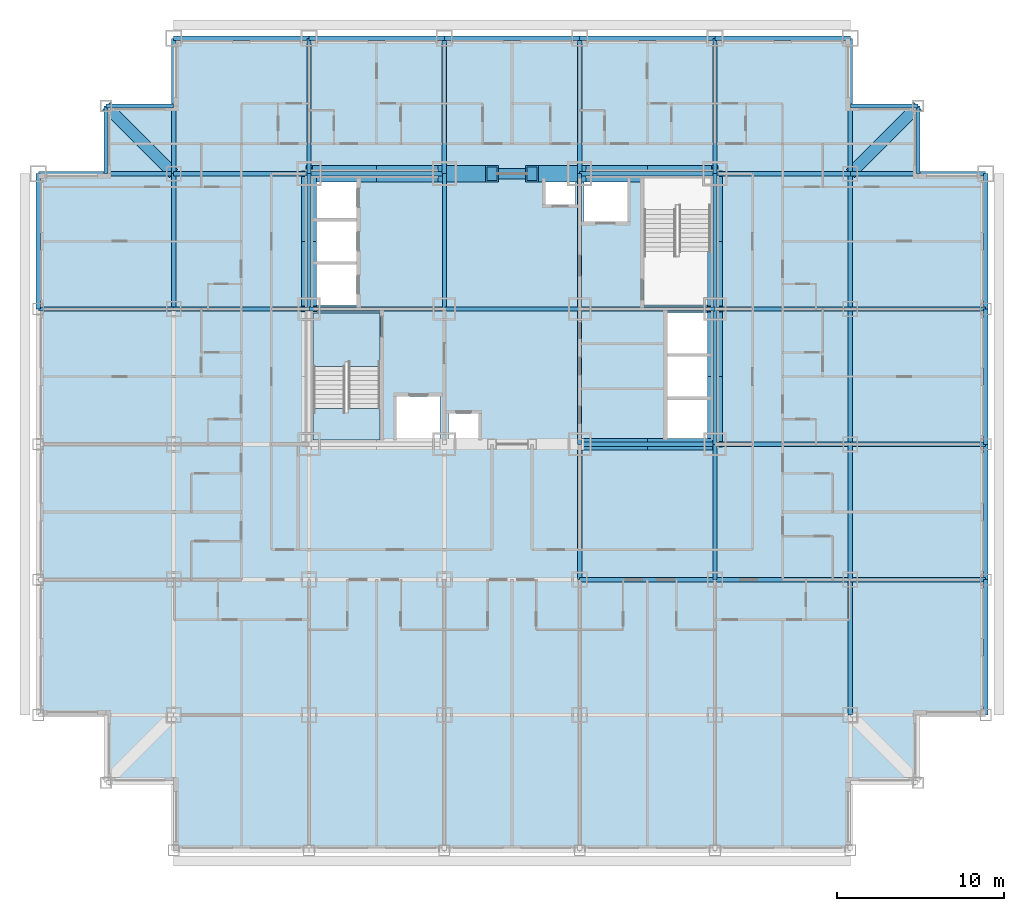
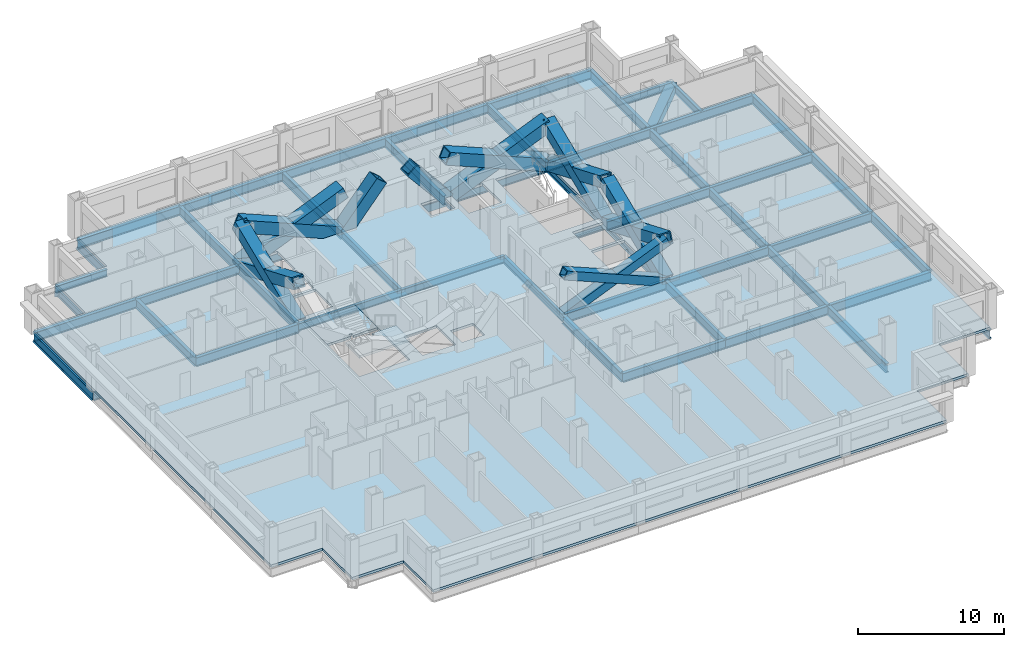
# One storey, part 2 of 11: 55 beams, 14 members, 3 slabs, 1 element without a shape of its own.
"""IFC4 building model written with IfcOpenShell, lengths in metres."""

from ifc_helpers import new_model, si_unit, direction, frame, origin, origin_2d, place, context, subcontext, project, spatial, polyline, hollow_rectangle, i_section, outline, extrude, material, layer, layer_set, material_profile, profile_set, type_object, element, aggregate, save


model = new_model("IFC4")

# Units and contexts
model_context = context("Model", 3, precision=1e-05, world=origin(), true_north=direction((0.0, 1.0)))
body_context = subcontext(model_context, "Body", "Model", "MODEL_VIEW")
ifc_project = project(units=[si_unit("LENGTHUNIT", "METRE"), si_unit("AREAUNIT", "SQUARE_METRE"), si_unit("VOLUMEUNIT", "CUBIC_METRE"), si_unit("PLANEANGLEUNIT", "RADIAN"), si_unit("MASSUNIT", "GRAM", prefix="KILO")], contexts=[model_context])

# Site, building, storey
site_placement = place(None, origin())
site = spatial("IfcSite", under=ifc_project, at=site_placement, CompositionType="ELEMENT")
building_placement = place(site_placement, origin())
building = spatial("IfcBuilding", under=site, at=building_placement, Name="Kopane Lantern Tower", CompositionType="ELEMENT")
storey_placement = place(building_placement, frame((0.0, 0.0, 84.0)))
storey = spatial("IfcBuildingStorey", under=building, at=storey_placement, Name="L21", CompositionType="ELEMENT", Elevation=84.0)

# Members
ifc_material_1 = material(Name="Steel S355JR", Category="steel")
ifc_material_profile_1 = material_profile(ifc_material_1, hollow_rectangle(XDim=1.0, YDim=1.0, WallThickness=0.10009765625, at=origin_2d()), Name="BOX 1000x1000x100")
ifc_profile_set_1 = profile_set([ifc_material_profile_1], Name="Steel S355JR")
member_type_1 = type_object("IfcMemberType", Name="BRACE BOX 1000x1000x100", PredefinedType="BRACE", material=ifc_profile_set_1)
for number, where, z_axis, x_axis, name in (
    (1, (16.199951171875, 40.5, -0.2099609375), (0.922069000757, 0.0, 0.387025526088), (0.0, 1.0, 0.0), "Core brace L21"),
    (2, (24.300048828125, 40.5, -0.2099609375), (-0.922069000757, 0.0, 0.387025526088), (0.0, -1.0, 0.0), "Core brace L21"),
):
    element("IfcMember", number, at=place(storey_placement, frame(where, z_axis=z_axis, x_axis=x_axis)), inside=storey, type_object=member_type_1, Name=name, PredefinedType="BRACE", context=body_context, shape_type="SweptSolid", body=[
        extrude(hollow_rectangle(XDim=1.0, YDim=1.0, WallThickness=0.10009765625, at=origin_2d()), origin(), (0.0, 0.0, 1.0), 8.78466796875),
    ])
for number, where, z_axis, x_axis, name in (
    (3, (24.300048828125, 40.5, -0.2099609375), (0.642390257445, 0.0, 0.7663776857), (0.0, 1.0, 0.0), "Core brace L21"),
    (4, (32.39990234375, 40.5, -0.2099609375), (-0.642390257445, 0.0, 0.7663776857), (0.0, -1.0, 0.0), "Core brace L21"),
):
    element("IfcMember", number, at=place(storey_placement, frame(where, z_axis=z_axis, x_axis=x_axis)), inside=storey, type_object=member_type_1, Name=name, PredefinedType="BRACE", context=body_context, shape_type="SweptSolid", body=[
        extrude(hollow_rectangle(XDim=1.0, YDim=1.0, WallThickness=0.10009765625, at=origin_2d()), origin(), (0.0, 0.0, 1.0), 4.436279296875),
    ])
for number, where, z_axis, x_axis, name in (
    (5, (32.39990234375, 40.5, -0.2099609375), (0.922069000757, 0.0, 0.387025526088), (0.0, 1.0, 0.0), "Core brace L21"),
    (6, (40.5, 40.5, -0.2099609375), (-0.922069000757, 0.0, 0.387025526088), (0.0, -1.0, 0.0), "Core brace L21"),
):
    element("IfcMember", number, at=place(storey_placement, frame(where, z_axis=z_axis, x_axis=x_axis)), inside=storey, type_object=member_type_1, Name=name, PredefinedType="BRACE", context=body_context, shape_type="SweptSolid", body=[
        extrude(hollow_rectangle(XDim=1.0, YDim=1.0, WallThickness=0.10009765625, at=origin_2d()), origin(), (0.0, 0.0, 1.0), 8.78466796875),
    ])
ifc_material_2 = material(Name="Steel S355JR", Category="steel")
ifc_material_profile_2 = material_profile(ifc_material_2, hollow_rectangle(XDim=0.699951171875, YDim=0.699951171875, WallThickness=0.06005859375, at=origin_2d()), Name="BOX 700x700x60")
ifc_profile_set_2 = profile_set([ifc_material_profile_2], Name="Steel S355JR")
member_type_2 = type_object("IfcMemberType", Name="BRACE BOX 700x700x60", PredefinedType="BRACE", material=ifc_profile_set_2)
for number, where, z_axis, x_axis, name in (
    (7, (32.39990234375, 24.300048828125, -0.2099609375), (0.922069000757, 0.0, 0.387025526088), (0.0, 1.0, 0.0), "Core brace L21"),
    (8, (40.5, 24.300048828125, -0.2099609375), (-0.922069000757, 0.0, 0.387025526088), (0.0, -1.0, 0.0), "Core brace L21"),
):
    element("IfcMember", number, at=place(storey_placement, frame(where, z_axis=z_axis, x_axis=x_axis)), inside=storey, type_object=member_type_2, Name=name, PredefinedType="BRACE", context=body_context, shape_type="SweptSolid", body=[
        extrude(hollow_rectangle(XDim=0.699951171875, YDim=0.699951171875, WallThickness=0.06005859375, at=origin_2d()), origin(), (0.0, 0.0, 1.0), 8.78466796875),
    ])
ifc_material_3 = material(Name="Steel S355JR", Category="steel")
ifc_material_profile_3 = material_profile(ifc_material_3, hollow_rectangle(XDim=0.89990234375, YDim=0.89990234375, WallThickness=0.090087890625, at=origin_2d()), Name="BOX 900x900x90")
ifc_profile_set_3 = profile_set([ifc_material_profile_3], Name="Steel S355JR")
member_type_3 = type_object("IfcMemberType", Name="BRACE BOX 900x900x90", PredefinedType="BRACE", material=ifc_profile_set_3)
for number, where, z_axis, x_axis, name in (
    (9, (16.199951171875, 32.39990234375, -0.2099609375), (0.0, 0.922069000757, 0.387025526088), (-1.0, 0.0, 0.0), "Core brace L21"),
    (10, (16.199951171875, 40.5, -0.2099609375), (0.0, -0.922069000757, 0.387025526088), (1.0, 0.0, 0.0), "Core brace L21"),
):
    element("IfcMember", number, at=place(storey_placement, frame(where, z_axis=z_axis, x_axis=x_axis)), inside=storey, type_object=member_type_3, Name=name, PredefinedType="BRACE", context=body_context, shape_type="SweptSolid", body=[
        extrude(hollow_rectangle(XDim=0.89990234375, YDim=0.89990234375, WallThickness=0.090087890625, at=origin_2d()), origin(), (0.0, 0.0, 1.0), 8.78466796875),
    ])
for number, where, z_axis, x_axis, name in (
    (11, (40.5, 24.300048828125, -0.2099609375), (0.0, 0.922064837731, 0.38703544414), (-1.0, 0.0, 0.0), "Core brace L21"),
    (12, (40.5, 32.39990234375, -0.2099609375), (0.0, -0.922064837731, 0.38703544414), (1.0, 0.0, 0.0), "Core brace L21"),
):
    element("IfcMember", number, at=place(storey_placement, frame(where, z_axis=z_axis, x_axis=x_axis)), inside=storey, type_object=member_type_3, Name=name, PredefinedType="BRACE", context=body_context, shape_type="SweptSolid", body=[
        extrude(hollow_rectangle(XDim=0.89990234375, YDim=0.89990234375, WallThickness=0.090087890625, at=origin_2d()), origin(), (0.0, 0.0, 1.0), 8.784423828125),
    ])
for number, where, z_axis, x_axis, name in (
    (13, (40.5, 32.39990234375, -0.2099609375), (0.0, 0.922069000757, 0.387025526088), (-1.0, 0.0, 0.0), "Core brace L21"),
    (14, (40.5, 40.5, -0.2099609375), (0.0, -0.922069000757, 0.387025526088), (1.0, 0.0, 0.0), "Core brace L21"),
):
    element("IfcMember", number, at=place(storey_placement, frame(where, z_axis=z_axis, x_axis=x_axis)), inside=storey, type_object=member_type_3, Name=name, PredefinedType="BRACE", context=body_context, shape_type="SweptSolid", body=[
        extrude(hollow_rectangle(XDim=0.89990234375, YDim=0.89990234375, WallThickness=0.090087890625, at=origin_2d()), origin(), (0.0, 0.0, 1.0), 8.78466796875),
    ])

# Beams
ifc_material_4 = material(Name="Steel S355JR", Category="steel")
ifc_material_profile_4 = material_profile(ifc_material_4, i_section(OverallWidth=0.22900390625, OverallDepth=0.6123046875, WebThickness=0.011962890625, FlangeThickness=0.01953125, FilletRadius=0.0126953125, at=origin_2d()), Name="UB 610x229x125")
ifc_profile_set_4 = profile_set([ifc_material_profile_4], Name="Steel S355JR")
beam_type_1 = type_object("IfcBeamType", Name="CORE BEAM UB 610x229x125", PredefinedType="BEAM", material=ifc_profile_set_4)
for number, where, z_axis, x_axis, name in (
    (15, (16.199951171875, 32.39990234375, -0.51611328125), (1.0, 0.0, 0.0), (0.0, 1.0, 0.0), "Core Beam L21"),
    (16, (24.300048828125, 32.39990234375, -0.51611328125), (0.0, 1.0, 0.0), (-1.0, 0.0, 0.0), "Core Beam L21"),
):
    element("IfcBeam", number, at=place(storey_placement, frame(where, z_axis=z_axis, x_axis=x_axis)), inside=storey, type_object=beam_type_1, Name=name, PredefinedType="BEAM", context=body_context, shape_type="SweptSolid", body=[
        extrude(i_section(OverallWidth=0.22900390625, OverallDepth=0.6123046875, WebThickness=0.011962890625, FlangeThickness=0.01953125, FilletRadius=0.0126953125, at=origin_2d()), origin(), (0.0, 0.0, 1.0), 8.10009765625),
    ])
for number, where, z_axis, x_axis, name in (
    (17, (24.300048828125, 32.39990234375, -0.51611328125), (1.0, 0.0, 0.0), (0.0, 1.0, 0.0), "Core Beam L21"),
    (18, (32.39990234375, 24.300048828125, -0.51611328125), (0.0, 1.0, 0.0), (-1.0, 0.0, 0.0), "Core Beam L21"),
):
    element("IfcBeam", number, at=place(storey_placement, frame(where, z_axis=z_axis, x_axis=x_axis)), inside=storey, type_object=beam_type_1, Name=name, PredefinedType="BEAM", context=body_context, shape_type="SweptSolid", body=[
        extrude(i_section(OverallWidth=0.22900390625, OverallDepth=0.6123046875, WebThickness=0.011962890625, FlangeThickness=0.01953125, FilletRadius=0.0126953125, at=origin_2d()), origin(), (0.0, 0.0, 1.0), 8.099853515625),
    ])
for number, where, z_axis, x_axis, name in (
    (19, (32.39990234375, 32.39990234375, -0.51611328125), (0.0, 1.0, 0.0), (-1.0, 0.0, 0.0), "Core Beam L21"),
    (20, (32.39990234375, 32.39990234375, -0.51611328125), (1.0, 0.0, 0.0), (0.0, 1.0, 0.0), "Core Beam L21"),
):
    element("IfcBeam", number, at=place(storey_placement, frame(where, z_axis=z_axis, x_axis=x_axis)), inside=storey, type_object=beam_type_1, Name=name, PredefinedType="BEAM", context=body_context, shape_type="SweptSolid", body=[
        extrude(i_section(OverallWidth=0.22900390625, OverallDepth=0.6123046875, WebThickness=0.011962890625, FlangeThickness=0.01953125, FilletRadius=0.0126953125, at=origin_2d()), origin(), (0.0, 0.0, 1.0), 8.10009765625),
    ])
ifc_material_5 = material(Name="Steel S355JR", Category="steel")
ifc_material_profile_5 = material_profile(ifc_material_5, hollow_rectangle(XDim=0.699951171875, YDim=0.699951171875, WallThickness=0.06005859375, at=origin_2d()), Name="BOX 700x700x60")
ifc_profile_set_5 = profile_set([ifc_material_profile_5], Name="Steel S355JR")
beam_type_2 = type_object("IfcBeamType", Name="CORNER TIE BEAM BOX 700x700x60", PredefinedType="BEAM", material=ifc_profile_set_5)
for number, where, z_axis, x_axis, name in (
    (21, (4.050048828125, 44.550048828125, -0.56005859375), (0.707106781187, -0.707106781187, 0.0), (0.707106781187, 0.707106781187, 0.0), "Corner Tie Beam L21"),
    (22, (52.64990234375, 44.550048828125, -0.56005859375), (-0.707085467703, -0.707128094028, 0.0), (0.707128094028, -0.707085467703, 0.0), "Corner Tie Beam L21"),
):
    element("IfcBeam", number, at=place(storey_placement, frame(where, z_axis=z_axis, x_axis=x_axis)), inside=storey, type_object=beam_type_2, Name=name, PredefinedType="BEAM", context=body_context, shape_type="SweptSolid", body=[
        extrude(hollow_rectangle(XDim=0.699951171875, YDim=0.699951171875, WallThickness=0.06005859375, at=origin_2d()), origin(), (0.0, 0.0, 1.0), 5.7275390625),
    ])
ifc_material_6 = material(Name="Steel S355JR", Category="steel")
ifc_material_profile_6 = material_profile(ifc_material_6, i_section(OverallWidth=0.22900390625, OverallDepth=0.6123046875, WebThickness=0.011962890625, FlangeThickness=0.01953125, FilletRadius=0.0126953125, at=origin_2d()), Name="UB 610x229x125")
ifc_profile_set_6 = profile_set([ifc_material_profile_6], Name="Steel S355JR")
beam_type_3 = type_object("IfcBeamType", Name="EDGE BEAM UB 610x229x125", PredefinedType="BEAM", material=ifc_profile_set_6)
for number, where, z_axis, x_axis, name in (
    (23, (4.050048828125, 44.550048828125, -0.51611328125), (0.0, -1.0, 0.0), (1.0, 0.0, 0.0), "Edge Beam L21"),
    (24, (4.050048828125, 44.550048828125, -0.51611328125), (1.0, 0.0, 0.0), (0.0, 1.0, 0.0), "Edge Beam L21"),
):
    element("IfcBeam", number, at=place(storey_placement, frame(where, z_axis=z_axis, x_axis=x_axis)), inside=storey, type_object=beam_type_3, Name=name, PredefinedType="BEAM", context=body_context, shape_type="SweptSolid", body=[
        extrude(i_section(OverallWidth=0.22900390625, OverallDepth=0.6123046875, WebThickness=0.011962890625, FlangeThickness=0.01953125, FilletRadius=0.0126953125, at=origin_2d()), origin(), (0.0, 0.0, 1.0), 4.050048828125),
    ])
beam_1_placement = place(storey_placement, frame((52.64990234375, 44.550048828125, -0.51611328125), z_axis=(-1.0, 0.0, 0.0), x_axis=(0.0, -1.0, 0.0)))
element("IfcBeam", 25, at=beam_1_placement, inside=storey, type_object=beam_type_3, Name="Edge Beam L21", PredefinedType="BEAM", context=body_context, shape_type="SweptSolid", body=[
    extrude(i_section(OverallWidth=0.22900390625, OverallDepth=0.6123046875, WebThickness=0.011962890625, FlangeThickness=0.01953125, FilletRadius=0.0126953125, at=origin_2d()), origin(), (0.0, 0.0, 1.0), 4.0498046875),
])
beam_2_placement = place(storey_placement, frame((52.64990234375, 44.550048828125, -0.51611328125), z_axis=(0.0, -1.0, 0.0), x_axis=(1.0, 0.0, 0.0)))
element("IfcBeam", 26, at=beam_2_placement, inside=storey, type_object=beam_type_3, Name="Edge Beam L21", PredefinedType="BEAM", context=body_context, shape_type="SweptSolid", body=[
    extrude(i_section(OverallWidth=0.22900390625, OverallDepth=0.6123046875, WebThickness=0.011962890625, FlangeThickness=0.01953125, FilletRadius=0.0126953125, at=origin_2d()), origin(), (0.0, 0.0, 1.0), 4.050048828125),
])
ifc_material_7 = material(Name="Steel S355JR", Category="steel")
ifc_material_profile_7 = material_profile(ifc_material_7, i_section(OverallWidth=0.2666015625, OverallDepth=0.76220703125, WebThickness=0.014404296875, FlangeThickness=0.021484375, FilletRadius=0.0166015625, at=origin_2d()), Name="UB 762x267x173")
ifc_profile_set_7 = profile_set([ifc_material_profile_7], Name="Steel S355JR")
beam_type_4 = type_object("IfcBeamType", Name="GIRDER UB 762x267x173", PredefinedType="BEAM", material=ifc_profile_set_7)
for number, where, z_axis, x_axis, name in (
    (27, (0.0, 32.39990234375, -0.591064453125), (0.0, 1.0, 0.0), (-1.0, 0.0, 0.0), "Girder L21"),
    (28, (0.0, 32.39990234375, -0.591064453125), (1.0, 0.0, 0.0), (0.0, 1.0, 0.0), "Girder L21"),
    (29, (0.0, 40.5, -0.591064453125), (1.0, 0.0, 0.0), (0.0, 1.0, 0.0), "Girder L21"),
    (30, (8.10009765625, 32.39990234375, -0.591064453125), (0.0, 1.0, 0.0), (-1.0, 0.0, 0.0), "Girder L21"),
):
    element("IfcBeam", number, at=place(storey_placement, frame(where, z_axis=z_axis, x_axis=x_axis)), inside=storey, type_object=beam_type_4, Name=name, PredefinedType="BEAM", context=body_context, shape_type="SweptSolid", body=[
        extrude(i_section(OverallWidth=0.2666015625, OverallDepth=0.76220703125, WebThickness=0.014404296875, FlangeThickness=0.021484375, FilletRadius=0.0166015625, at=origin_2d()), origin(), (0.0, 0.0, 1.0), 8.10009765625),
    ])
beam_3_placement = place(storey_placement, frame((8.10009765625, 32.39990234375, -0.591064453125), z_axis=(1.0, 0.0, 0.0), x_axis=(0.0, 1.0, 0.0)))
element("IfcBeam", 31, at=beam_3_placement, inside=storey, type_object=beam_type_4, Name="Girder L21", PredefinedType="BEAM", context=body_context, shape_type="SweptSolid", body=[
    extrude(i_section(OverallWidth=0.2666015625, OverallDepth=0.76220703125, WebThickness=0.014404296875, FlangeThickness=0.021484375, FilletRadius=0.0166015625, at=origin_2d()), origin(), (0.0, 0.0, 1.0), 8.099853515625),
])
beam_4_placement = place(storey_placement, frame((8.10009765625, 40.5, -0.591064453125), z_axis=(0.0, 1.0, 0.0), x_axis=(-1.0, 0.0, 0.0)))
element("IfcBeam", 32, at=beam_4_placement, inside=storey, type_object=beam_type_4, Name="Girder L21", PredefinedType="BEAM", context=body_context, shape_type="SweptSolid", body=[
    extrude(i_section(OverallWidth=0.2666015625, OverallDepth=0.76220703125, WebThickness=0.014404296875, FlangeThickness=0.021484375, FilletRadius=0.0166015625, at=origin_2d()), origin(), (0.0, 0.0, 1.0), 8.10009765625),
])
for number, where, z_axis, x_axis, name in (
    (33, (8.10009765625, 40.5, -0.591064453125), (1.0, 0.0, 0.0), (0.0, 1.0, 0.0), "Girder L21"),
    (34, (8.10009765625, 48.60009765625, -0.591064453125), (1.0, 0.0, 0.0), (0.0, 1.0, 0.0), "Girder L21"),
):
    element("IfcBeam", number, at=place(storey_placement, frame(where, z_axis=z_axis, x_axis=x_axis)), inside=storey, type_object=beam_type_4, Name=name, PredefinedType="BEAM", context=body_context, shape_type="SweptSolid", body=[
        extrude(i_section(OverallWidth=0.2666015625, OverallDepth=0.76220703125, WebThickness=0.014404296875, FlangeThickness=0.021484375, FilletRadius=0.0166015625, at=origin_2d()), origin(), (0.0, 0.0, 1.0), 8.099853515625),
    ])
for number, where, z_axis, x_axis, name in (
    (35, (16.199951171875, 32.39990234375, -0.591064453125), (0.0, 1.0, 0.0), (-1.0, 0.0, 0.0), "Girder L21"),
    (36, (16.199951171875, 40.5, -0.591064453125), (0.0, 1.0, 0.0), (-1.0, 0.0, 0.0), "Girder L21"),
    (37, (16.199951171875, 40.5, -0.591064453125), (1.0, 0.0, 0.0), (0.0, 1.0, 0.0), "Girder L21"),
    (38, (16.199951171875, 48.60009765625, -0.591064453125), (1.0, 0.0, 0.0), (0.0, 1.0, 0.0), "Girder L21"),
    (39, (24.300048828125, 40.5, -0.591064453125), (0.0, 1.0, 0.0), (-1.0, 0.0, 0.0), "Girder L21"),
):
    element("IfcBeam", number, at=place(storey_placement, frame(where, z_axis=z_axis, x_axis=x_axis)), inside=storey, type_object=beam_type_4, Name=name, PredefinedType="BEAM", context=body_context, shape_type="SweptSolid", body=[
        extrude(i_section(OverallWidth=0.2666015625, OverallDepth=0.76220703125, WebThickness=0.014404296875, FlangeThickness=0.021484375, FilletRadius=0.0166015625, at=origin_2d()), origin(), (0.0, 0.0, 1.0), 8.10009765625),
    ])
beam_5_placement = place(storey_placement, frame((24.300048828125, 48.60009765625, -0.591064453125), z_axis=(1.0, 0.0, 0.0), x_axis=(0.0, 1.0, 0.0)))
element("IfcBeam", 40, at=beam_5_placement, inside=storey, type_object=beam_type_4, Name="Girder L21", PredefinedType="BEAM", context=body_context, shape_type="SweptSolid", body=[
    extrude(i_section(OverallWidth=0.2666015625, OverallDepth=0.76220703125, WebThickness=0.014404296875, FlangeThickness=0.021484375, FilletRadius=0.0166015625, at=origin_2d()), origin(), (0.0, 0.0, 1.0), 8.099853515625),
])
for number, where, z_axis, x_axis, name in (
    (41, (32.39990234375, 16.199951171875, -0.591064453125), (0.0, 1.0, 0.0), (-1.0, 0.0, 0.0), "Girder L21"),
    (42, (32.39990234375, 16.199951171875, -0.591064453125), (1.0, 0.0, 0.0), (0.0, 1.0, 0.0), "Girder L21"),
    (43, (32.39990234375, 24.300048828125, -0.591064453125), (1.0, 0.0, 0.0), (0.0, 1.0, 0.0), "Girder L21"),
    (44, (32.39990234375, 40.5, -0.591064453125), (0.0, 1.0, 0.0), (-1.0, 0.0, 0.0), "Girder L21"),
    (45, (32.39990234375, 40.5, -0.591064453125), (1.0, 0.0, 0.0), (0.0, 1.0, 0.0), "Girder L21"),
    (46, (32.39990234375, 48.60009765625, -0.591064453125), (1.0, 0.0, 0.0), (0.0, 1.0, 0.0), "Girder L21"),
    (47, (40.5, 16.199951171875, -0.591064453125), (0.0, 1.0, 0.0), (-1.0, 0.0, 0.0), "Girder L21"),
    (48, (40.5, 16.199951171875, -0.591064453125), (1.0, 0.0, 0.0), (0.0, 1.0, 0.0), "Girder L21"),
):
    element("IfcBeam", number, at=place(storey_placement, frame(where, z_axis=z_axis, x_axis=x_axis)), inside=storey, type_object=beam_type_4, Name=name, PredefinedType="BEAM", context=body_context, shape_type="SweptSolid", body=[
        extrude(i_section(OverallWidth=0.2666015625, OverallDepth=0.76220703125, WebThickness=0.014404296875, FlangeThickness=0.021484375, FilletRadius=0.0166015625, at=origin_2d()), origin(), (0.0, 0.0, 1.0), 8.10009765625),
    ])
beam_6_placement = place(storey_placement, frame((40.5, 24.300048828125, -0.591064453125), z_axis=(0.0, 1.0, 0.0), x_axis=(-1.0, 0.0, 0.0)))
element("IfcBeam", 49, at=beam_6_placement, inside=storey, type_object=beam_type_4, Name="Girder L21", PredefinedType="BEAM", context=body_context, shape_type="SweptSolid", body=[
    extrude(i_section(OverallWidth=0.2666015625, OverallDepth=0.76220703125, WebThickness=0.014404296875, FlangeThickness=0.021484375, FilletRadius=0.0166015625, at=origin_2d()), origin(), (0.0, 0.0, 1.0), 8.099853515625),
])
for number, where, z_axis, x_axis, name in (
    (50, (40.5, 24.300048828125, -0.591064453125), (1.0, 0.0, 0.0), (0.0, 1.0, 0.0), "Girder L21"),
    (51, (40.5, 32.39990234375, -0.591064453125), (0.0, 1.0, 0.0), (-1.0, 0.0, 0.0), "Girder L21"),
    (52, (40.5, 32.39990234375, -0.591064453125), (1.0, 0.0, 0.0), (0.0, 1.0, 0.0), "Girder L21"),
    (53, (40.5, 40.5, -0.591064453125), (0.0, 1.0, 0.0), (-1.0, 0.0, 0.0), "Girder L21"),
    (54, (40.5, 40.5, -0.591064453125), (1.0, 0.0, 0.0), (0.0, 1.0, 0.0), "Girder L21"),
    (55, (40.5, 48.60009765625, -0.591064453125), (1.0, 0.0, 0.0), (0.0, 1.0, 0.0), "Girder L21"),
):
    element("IfcBeam", number, at=place(storey_placement, frame(where, z_axis=z_axis, x_axis=x_axis)), inside=storey, type_object=beam_type_4, Name=name, PredefinedType="BEAM", context=body_context, shape_type="SweptSolid", body=[
        extrude(i_section(OverallWidth=0.2666015625, OverallDepth=0.76220703125, WebThickness=0.014404296875, FlangeThickness=0.021484375, FilletRadius=0.0166015625, at=origin_2d()), origin(), (0.0, 0.0, 1.0), 8.10009765625),
    ])
beam_7_placement = place(storey_placement, frame((48.60009765625, 8.10009765625, -0.591064453125), z_axis=(0.0, 1.0, 0.0), x_axis=(-1.0, 0.0, 0.0)))
element("IfcBeam", 56, at=beam_7_placement, inside=storey, type_object=beam_type_4, Name="Girder L21", PredefinedType="BEAM", context=body_context, shape_type="SweptSolid", body=[
    extrude(i_section(OverallWidth=0.2666015625, OverallDepth=0.76220703125, WebThickness=0.014404296875, FlangeThickness=0.021484375, FilletRadius=0.0166015625, at=origin_2d()), origin(), (0.0, 0.0, 1.0), 8.099853515625),
])
beam_8_placement = place(storey_placement, frame((48.60009765625, 16.199951171875, -0.591064453125), z_axis=(0.0, 1.0, 0.0), x_axis=(-1.0, 0.0, 0.0)))
element("IfcBeam", 57, at=beam_8_placement, inside=storey, type_object=beam_type_4, Name="Girder L21", PredefinedType="BEAM", context=body_context, shape_type="SweptSolid", body=[
    extrude(i_section(OverallWidth=0.2666015625, OverallDepth=0.76220703125, WebThickness=0.014404296875, FlangeThickness=0.021484375, FilletRadius=0.0166015625, at=origin_2d()), origin(), (0.0, 0.0, 1.0), 8.10009765625),
])
for number, where, z_axis, x_axis, name in (
    (58, (48.60009765625, 16.199951171875, -0.591064453125), (1.0, 0.0, 0.0), (0.0, 1.0, 0.0), "Girder L21"),
    (59, (48.60009765625, 24.300048828125, -0.591064453125), (0.0, 1.0, 0.0), (-1.0, 0.0, 0.0), "Girder L21"),
    (60, (48.60009765625, 24.300048828125, -0.591064453125), (1.0, 0.0, 0.0), (0.0, 1.0, 0.0), "Girder L21"),
):
    element("IfcBeam", number, at=place(storey_placement, frame(where, z_axis=z_axis, x_axis=x_axis)), inside=storey, type_object=beam_type_4, Name=name, PredefinedType="BEAM", context=body_context, shape_type="SweptSolid", body=[
        extrude(i_section(OverallWidth=0.2666015625, OverallDepth=0.76220703125, WebThickness=0.014404296875, FlangeThickness=0.021484375, FilletRadius=0.0166015625, at=origin_2d()), origin(), (0.0, 0.0, 1.0), 8.099853515625),
    ])
beam_9_placement = place(storey_placement, frame((48.60009765625, 32.39990234375, -0.591064453125), z_axis=(0.0, 1.0, 0.0), x_axis=(-1.0, 0.0, 0.0)))
element("IfcBeam", 61, at=beam_9_placement, inside=storey, type_object=beam_type_4, Name="Girder L21", PredefinedType="BEAM", context=body_context, shape_type="SweptSolid", body=[
    extrude(i_section(OverallWidth=0.2666015625, OverallDepth=0.76220703125, WebThickness=0.014404296875, FlangeThickness=0.021484375, FilletRadius=0.0166015625, at=origin_2d()), origin(), (0.0, 0.0, 1.0), 8.10009765625),
])
beam_10_placement = place(storey_placement, frame((48.60009765625, 32.39990234375, -0.591064453125), z_axis=(1.0, 0.0, 0.0), x_axis=(0.0, 1.0, 0.0)))
element("IfcBeam", 62, at=beam_10_placement, inside=storey, type_object=beam_type_4, Name="Girder L21", PredefinedType="BEAM", context=body_context, shape_type="SweptSolid", body=[
    extrude(i_section(OverallWidth=0.2666015625, OverallDepth=0.76220703125, WebThickness=0.014404296875, FlangeThickness=0.021484375, FilletRadius=0.0166015625, at=origin_2d()), origin(), (0.0, 0.0, 1.0), 8.099853515625),
])
beam_11_placement = place(storey_placement, frame((48.60009765625, 40.5, -0.591064453125), z_axis=(0.0, 1.0, 0.0), x_axis=(-1.0, 0.0, 0.0)))
element("IfcBeam", 63, at=beam_11_placement, inside=storey, type_object=beam_type_4, Name="Girder L21", PredefinedType="BEAM", context=body_context, shape_type="SweptSolid", body=[
    extrude(i_section(OverallWidth=0.2666015625, OverallDepth=0.76220703125, WebThickness=0.014404296875, FlangeThickness=0.021484375, FilletRadius=0.0166015625, at=origin_2d()), origin(), (0.0, 0.0, 1.0), 8.10009765625),
])
for number, where, z_axis, x_axis, name in (
    (64, (48.60009765625, 40.5, -0.591064453125), (1.0, 0.0, 0.0), (0.0, 1.0, 0.0), "Girder L21"),
    (65, (56.699951171875, 8.10009765625, -0.591064453125), (0.0, 1.0, 0.0), (-1.0, 0.0, 0.0), "Girder L21"),
):
    element("IfcBeam", number, at=place(storey_placement, frame(where, z_axis=z_axis, x_axis=x_axis)), inside=storey, type_object=beam_type_4, Name=name, PredefinedType="BEAM", context=body_context, shape_type="SweptSolid", body=[
        extrude(i_section(OverallWidth=0.2666015625, OverallDepth=0.76220703125, WebThickness=0.014404296875, FlangeThickness=0.021484375, FilletRadius=0.0166015625, at=origin_2d()), origin(), (0.0, 0.0, 1.0), 8.099853515625),
    ])
beam_12_placement = place(storey_placement, frame((56.699951171875, 16.199951171875, -0.591064453125), z_axis=(0.0, 1.0, 0.0), x_axis=(-1.0, 0.0, 0.0)))
element("IfcBeam", 66, at=beam_12_placement, inside=storey, type_object=beam_type_4, Name="Girder L21", PredefinedType="BEAM", context=body_context, shape_type="SweptSolid", body=[
    extrude(i_section(OverallWidth=0.2666015625, OverallDepth=0.76220703125, WebThickness=0.014404296875, FlangeThickness=0.021484375, FilletRadius=0.0166015625, at=origin_2d()), origin(), (0.0, 0.0, 1.0), 8.10009765625),
])
beam_13_placement = place(storey_placement, frame((56.699951171875, 24.300048828125, -0.591064453125), z_axis=(0.0, 1.0, 0.0), x_axis=(-1.0, 0.0, 0.0)))
element("IfcBeam", 67, at=beam_13_placement, inside=storey, type_object=beam_type_4, Name="Girder L21", PredefinedType="BEAM", context=body_context, shape_type="SweptSolid", body=[
    extrude(i_section(OverallWidth=0.2666015625, OverallDepth=0.76220703125, WebThickness=0.014404296875, FlangeThickness=0.021484375, FilletRadius=0.0166015625, at=origin_2d()), origin(), (0.0, 0.0, 1.0), 8.099853515625),
])
beam_14_placement = place(storey_placement, frame((56.699951171875, 32.39990234375, -0.591064453125), z_axis=(0.0, 1.0, 0.0), x_axis=(-1.0, 0.0, 0.0)))
element("IfcBeam", 68, at=beam_14_placement, inside=storey, type_object=beam_type_4, Name="Girder L21", PredefinedType="BEAM", context=body_context, shape_type="SweptSolid", body=[
    extrude(i_section(OverallWidth=0.2666015625, OverallDepth=0.76220703125, WebThickness=0.014404296875, FlangeThickness=0.021484375, FilletRadius=0.0166015625, at=origin_2d()), origin(), (0.0, 0.0, 1.0), 8.10009765625),
])
ifc_material_8 = material(Name="Steel S355JR", Category="steel")
ifc_material_profile_8 = material_profile(ifc_material_8, hollow_rectangle(XDim=0.64990234375, YDim=0.64990234375, WallThickness=0.070068359375, at=origin_2d()), Name="BOX 650x650x70")
ifc_profile_set_8 = profile_set([ifc_material_profile_8], Name="Steel S355JR")
beam_type_5 = type_object("IfcBeamType", Name="LINK BEAM BOX 650x650x70", PredefinedType="BEAM", material=ifc_profile_set_8)
beam_15_placement = place(storey_placement, frame((24.300048828125, 40.5, -0.534912109375), z_axis=(1.0, 0.0, 0.0), x_axis=(0.0, 1.0, 0.0)))
element("IfcBeam", 69, at=beam_15_placement, inside=storey, type_object=beam_type_5, Name="Link Beam L21", PredefinedType="BEAM", context=body_context, shape_type="SweptSolid", body=[
    extrude(hollow_rectangle(XDim=0.64990234375, YDim=0.64990234375, WallThickness=0.070068359375, at=origin_2d()), origin(), (0.0, 0.0, 1.0), 8.099853515625),
])

# Slab
ifc_material_9 = material(Name="Concrete C40/50", Category="concrete")
ifc_layer_1 = layer(ifc_material_9, 0.2099609375)
ifc_layer_set_1 = layer_set([ifc_layer_1], Name="SLAB 210 COMPOSITE")
slab_type_1 = type_object("IfcSlabType", Name="SLAB 210 COMPOSITE", PredefinedType="FLOOR", material=ifc_layer_set_1)
slab_1_placement = place(storey_placement, frame((0.0, 0.0, -0.2099609375)))
element("IfcSlab", 70, at=slab_1_placement, inside=storey, type_object=slab_type_1, Name="Floor slab L21", PredefinedType="FLOOR", context=body_context, shape_type="SweptSolid", body=[
    extrude(outline(polyline([(8.10009765625, 0.0), (48.60009765625, 0.0), (48.60009765625, 4.050048828125), (52.64990234375, 4.050048828125), (52.64990234375, 8.10009765625), (56.699951171875, 8.10009765625), (56.699951171875, 40.5), (52.64990234375, 40.5), (52.64990234375, 44.550048828125), (48.60009765625, 44.550048828125), (48.60009765625, 48.60009765625), (8.10009765625, 48.60009765625), (8.10009765625, 44.550048828125), (4.050048828125, 44.550048828125), (4.050048828125, 40.5), (0.0, 40.5), (0.0, 8.10009765625), (4.050048828125, 8.10009765625), (4.050048828125, 4.050048828125), (8.10009765625, 4.050048828125), (8.10009765625, 0.0)]), holes=[polyline([(16.449951171875, 24.550048828125), (20.449951171875, 24.550048828125), (20.449951171875, 32.14990234375), (16.449951171875, 32.14990234375), (16.449951171875, 24.550048828125)]), polyline([(36.25, 32.64990234375), (40.25, 32.64990234375), (40.25, 40.25), (36.25, 40.25), (36.25, 32.64990234375)]), polyline([(16.449951171875, 32.64990234375), (19.050048828125, 32.64990234375), (19.050048828125, 35.050048828125), (16.449951171875, 35.050048828125), (16.449951171875, 32.64990234375)]), polyline([(16.449951171875, 35.25), (19.050048828125, 35.25), (19.050048828125, 37.64990234375), (16.449951171875, 37.64990234375), (16.449951171875, 35.25)]), polyline([(16.449951171875, 37.85009765625), (19.050048828125, 37.85009765625), (19.050048828125, 40.25), (16.449951171875, 40.25), (16.449951171875, 37.85009765625)]), polyline([(37.64990234375, 24.550048828125), (40.25, 24.550048828125), (40.25, 26.949951171875), (37.64990234375, 26.949951171875), (37.64990234375, 24.550048828125)]), polyline([(37.64990234375, 27.14990234375), (40.25, 27.14990234375), (40.25, 29.550048828125), (37.64990234375, 29.550048828125), (37.64990234375, 27.14990234375)]), polyline([(37.64990234375, 29.75), (40.25, 29.75), (40.25, 32.14990234375), (37.64990234375, 32.14990234375), (37.64990234375, 29.75)]), polyline([(21.449951171875, 24.550048828125), (24.050048828125, 24.550048828125), (24.050048828125, 27.14990234375), (21.449951171875, 27.14990234375), (21.449951171875, 24.550048828125)]), polyline([(32.64990234375, 37.64990234375), (35.25, 37.64990234375), (35.25, 40.25), (32.64990234375, 40.25), (32.64990234375, 37.64990234375)]), polyline([(24.550048828125, 24.550048828125), (26.35009765625, 24.550048828125), (26.35009765625, 26.14990234375), (24.550048828125, 26.14990234375), (24.550048828125, 24.550048828125)]), polyline([(30.35009765625, 38.64990234375), (32.14990234375, 38.64990234375), (32.14990234375, 40.25), (30.35009765625, 40.25), (30.35009765625, 38.64990234375)])]), origin(), (0.0, 0.0, 1.0), 0.2099609375),
])

# Stair, slabs
ifc_material_10 = material(Name="Steel S355JR", Category="steel")
stair_type = type_object("IfcStairType", Name="EXIT STAIR 1900 HALF TURN", PredefinedType="HALF_TURN_STAIR", material=ifc_material_10)
stair_placement = place(storey_placement, origin())
stair = element("IfcStair", 71, at=stair_placement, inside=storey, type_object=stair_type, Name="Exit stair ST1 L21", PredefinedType="HALF_TURN_STAIR")
ifc_material_11 = material(Name="Concrete C40/50", Category="concrete")
ifc_layer_2 = layer(ifc_material_11, 0.199951171875)
ifc_layer_set_2 = layer_set([ifc_layer_2], Name="STAIR LANDING 200")
slab_type_2 = type_object("IfcSlabType", Name="STAIR LANDING 200", PredefinedType="LANDING", material=ifc_layer_set_2)
slab_2_placement = place(storey_placement, frame((0.0, 0.0, -0.199951171875)))
slab_2 = element("IfcSlab", 72, at=slab_2_placement, type_object=slab_type_2, Name="ST1 landing 1", PredefinedType="LANDING", context=body_context, shape_type="SweptSolid", body=[
    extrude(outline(polyline([(18.35009765625, 29.25), (18.550048828125, 29.25), (18.550048828125, 28.969970703125), (20.449951171875, 28.969970703125), (20.449951171875, 32.14990234375), (16.449951171875, 32.14990234375), (16.449951171875, 28.969970703125), (18.35009765625, 28.969970703125), (18.35009765625, 29.25)])), origin(), (0.0, 0.0, 1.0), 0.199951171875),
])
slab_3_placement = place(storey_placement, frame((0.0, 0.0, 1.5)))
slab_3 = element("IfcSlab", 73, at=slab_3_placement, type_object=slab_type_2, Name="ST1 landing 2", PredefinedType="LANDING", context=body_context, shape_type="SweptSolid", body=[
    extrude(outline(polyline([(20.449951171875, 26.449951171875), (18.550048828125, 26.449951171875), (18.550048828125, 26.169921875), (18.35009765625, 26.169921875), (18.35009765625, 26.449951171875), (16.449951171875, 26.449951171875), (16.449951171875, 24.550048828125), (20.449951171875, 24.550048828125), (20.449951171875, 26.449951171875)])), origin(), (0.0, 0.0, 1.0), 0.199951171875),
])
aggregate(stair, [slab_2, slab_3])

save(model, "model.ifc")
